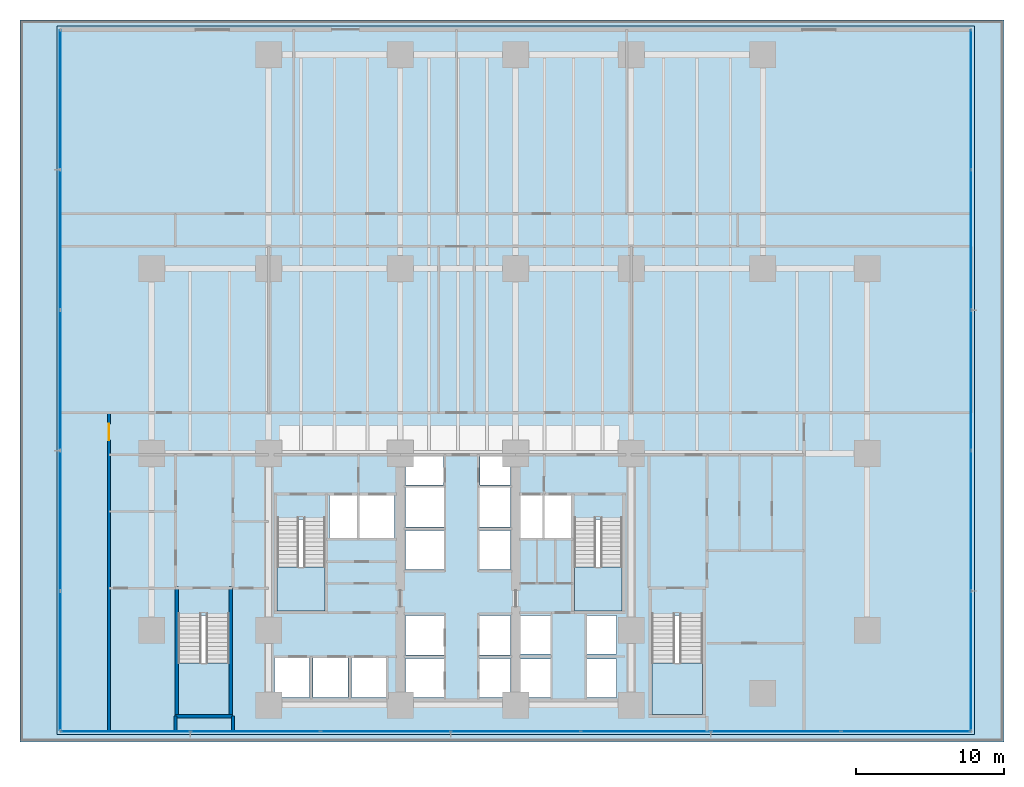
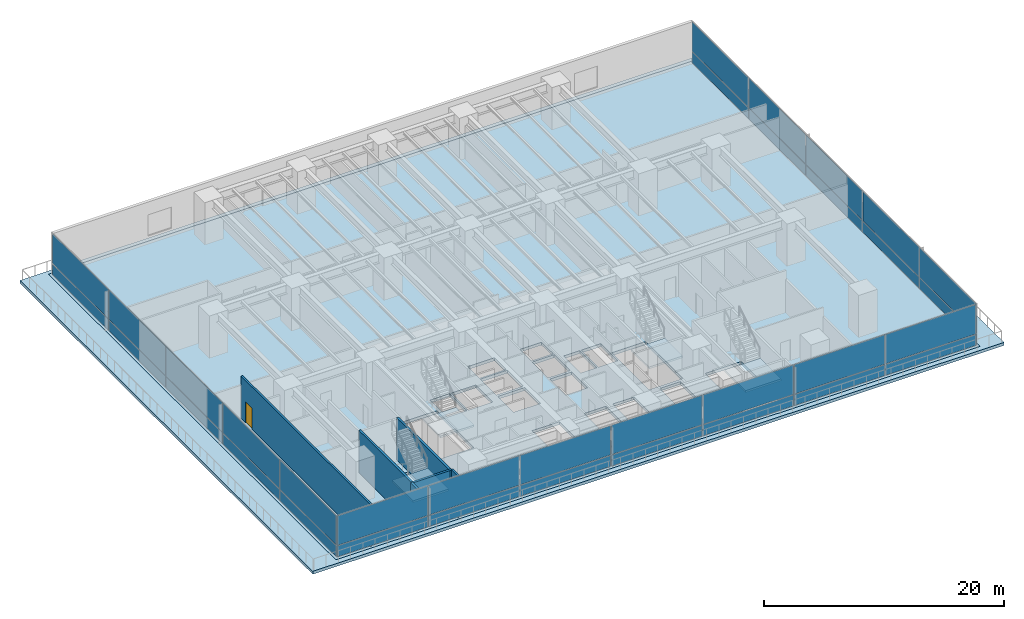
# One storey, part 9 of 26: 34 plates, 6 slabs, 6 walls, 1 door, 1 opening, 7 elements without a shape of their own.
"""IFC4 building model written with IfcOpenShell, lengths in metres."""

from ifc_helpers import new_model, si_unit, direction, frame, frame_2d, origin, origin_2d, place, context, subcontext, project, spatial, polyline, rectangle, outline, extrude, material, layer, layer_set, type_object, element, fill, aggregate, save


model = new_model("IFC4")

# Units and contexts
model_context = context("Model", 3, precision=1e-05, world=origin(), true_north=direction((0.0, 1.0)))
body_context = subcontext(model_context, "Body", "Model", "MODEL_VIEW")
ifc_project = project(units=[si_unit("LENGTHUNIT", "METRE"), si_unit("AREAUNIT", "SQUARE_METRE"), si_unit("VOLUMEUNIT", "CUBIC_METRE"), si_unit("PLANEANGLEUNIT", "RADIAN"), si_unit("MASSUNIT", "GRAM", prefix="KILO")], contexts=[model_context])

# Site, building, storey
site_placement = place(None, origin())
site = spatial("IfcSite", under=ifc_project, at=site_placement, CompositionType="ELEMENT")
building_placement = place(site_placement, origin())
building = spatial("IfcBuilding", under=site, at=building_placement, Name="Qalmaran Belvedere Hotel", CompositionType="ELEMENT")
storey_placement = place(building_placement, frame((0.0, 0.0, 19.199951171875)))
storey = spatial("IfcBuildingStorey", under=building, at=storey_placement, Name="L04", CompositionType="ELEMENT", Elevation=19.199951171875)

# Curtain wall, plates
ifc_material_1 = material(Name="Anodised Bronze Aluminium", Category="aluminium")
ifc_layer_1 = layer(ifc_material_1, 0.219970703125, Name="Anodised Bronze Aluminium")
ifc_layer_set_1 = layer_set([ifc_layer_1], Name="Anodised Bronze Aluminium")
curtain_wall_type = type_object("IfcCurtainWallType", Name="CW1-PODIUM-BRONZE", PredefinedType="NOTDEFINED", material=ifc_layer_set_1)
curtain_wall_1_placement = place(storey_placement, origin())
curtain_wall_1 = element("IfcCurtainWall", 1, at=curtain_wall_1_placement, inside=storey, type_object=curtain_wall_type, Name="L04 Curtain Wall CW1", PredefinedType="NOTDEFINED")
ifc_material_2 = material(Name="Anodised Bronze Spandrel Panel")
ifc_layer_2 = layer(ifc_material_2, 0.035888671875, Name="Anodised Bronze Spandrel Panel")
ifc_layer_set_2 = layer_set([ifc_layer_2], Name="Anodised Bronze Spandrel Panel")
plate_type_1 = type_object("IfcPlateType", Name="CWP-SPANDREL-36", PredefinedType="CURTAIN_PANEL", material=ifc_layer_set_2)
plate_1_placement = place(storey_placement, frame((10.635986328125, 1.719970703125, 0.070068359375), z_axis=(0.0, 0.0, 1.0), x_axis=(1.0, 0.0, 0.0)))
plate_1 = element("IfcPlate", 2, at=plate_1_placement, type_object=plate_type_1, Name="CW1 panel 1.1", PredefinedType="CURTAIN_PANEL", context=body_context, shape_type="SweptSolid", body=[
    extrude(rectangle(XDim=8.681884765625, YDim=0.035888671875, at=origin_2d()), origin(), (0.0, 0.0, 1.0), 1.09912109375),
])
plate_2_placement = place(storey_placement, frame((19.411376953125, 1.719970703125, 0.070068359375), z_axis=(0.0, 0.0, 1.0), x_axis=(1.0, 0.0, 0.0)))
plate_2 = element("IfcPlate", 3, at=plate_2_placement, type_object=plate_type_1, Name="CW1 panel 2.1", PredefinedType="CURTAIN_PANEL", context=body_context, shape_type="SweptSolid", body=[
    extrude(rectangle(XDim=8.71923828125, YDim=0.035888671875, at=origin_2d()), origin(), (0.0, 0.0, 1.0), 1.09912109375),
])
plate_3_placement = place(storey_placement, frame((28.205810546875, 1.719970703125, 0.070068359375), z_axis=(0.0, 0.0, 1.0), x_axis=(1.0, 0.0, 0.0)))
plate_3 = element("IfcPlate", 4, at=plate_3_placement, type_object=plate_type_1, Name="CW1 panel 3.1", PredefinedType="CURTAIN_PANEL", context=body_context, shape_type="SweptSolid", body=[
    extrude(rectangle(XDim=8.71923828125, YDim=0.035888671875, at=origin_2d()), origin(), (0.0, 0.0, 1.0), 1.09912109375),
])
plate_4_placement = place(storey_placement, frame((37.0, 1.719970703125, 0.070068359375), z_axis=(0.0, 0.0, 1.0), x_axis=(1.0, 0.0, 0.0)))
plate_4 = element("IfcPlate", 5, at=plate_4_placement, type_object=plate_type_1, Name="CW1 panel 4.1", PredefinedType="CURTAIN_PANEL", context=body_context, shape_type="SweptSolid", body=[
    extrude(rectangle(XDim=8.71923828125, YDim=0.035888671875, at=origin_2d()), origin(), (0.0, 0.0, 1.0), 1.09912109375),
])
plate_5_placement = place(storey_placement, frame((45.794189453125, 1.719970703125, 0.070068359375), z_axis=(0.0, 0.0, 1.0), x_axis=(1.0, 0.0, 0.0)))
plate_5 = element("IfcPlate", 6, at=plate_5_placement, type_object=plate_type_1, Name="CW1 panel 5.1", PredefinedType="CURTAIN_PANEL", context=body_context, shape_type="SweptSolid", body=[
    extrude(rectangle(XDim=8.71923828125, YDim=0.035888671875, at=origin_2d()), origin(), (0.0, 0.0, 1.0), 1.09912109375),
])
plate_6_placement = place(storey_placement, frame((54.588623046875, 1.719970703125, 0.070068359375), z_axis=(0.0, 0.0, 1.0), x_axis=(1.0, 0.0, 0.0)))
plate_6 = element("IfcPlate", 7, at=plate_6_placement, type_object=plate_type_1, Name="CW1 panel 6.1", PredefinedType="CURTAIN_PANEL", context=body_context, shape_type="SweptSolid", body=[
    extrude(rectangle(XDim=8.71923828125, YDim=0.035888671875, at=origin_2d()), origin(), (0.0, 0.0, 1.0), 1.09912109375),
])
plate_7_placement = place(storey_placement, frame((63.364013671875, 1.719970703125, 0.070068359375), z_axis=(0.0, 0.0, 1.0), x_axis=(1.0, 0.0, 0.0)))
plate_7 = element("IfcPlate", 8, at=plate_7_placement, type_object=plate_type_1, Name="CW1 panel 7.1", PredefinedType="CURTAIN_PANEL", context=body_context, shape_type="SweptSolid", body=[
    extrude(rectangle(XDim=8.681884765625, YDim=0.035888671875, at=origin_2d()), origin(), (0.0, 0.0, 1.0), 1.09912109375),
])

curtain_wall_2_placement = place(storey_placement, origin())
curtain_wall_2 = element("IfcCurtainWall", 9, at=curtain_wall_2_placement, inside=storey, type_object=curtain_wall_type, Name="L04 Curtain Wall CW1", PredefinedType="NOTDEFINED")
plate_8_placement = place(storey_placement, frame((67.780029296875, 6.48486328125, 0.070068359375), z_axis=(0.0, 0.0, 1.0), x_axis=(0.0, 1.0, 0.0)))
plate_8 = element("IfcPlate", 10, at=plate_8_placement, type_object=plate_type_1, Name="CW1 panel 1.1", PredefinedType="CURTAIN_PANEL", context=body_context, shape_type="SweptSolid", body=[
    extrude(rectangle(XDim=9.37939453125, YDim=0.035888671875, at=origin_2d()), origin(), (0.0, 0.0, 1.0), 1.09912109375),
])
plate_9_placement = place(storey_placement, frame((67.780029296875, 15.9580078125, 0.070068359375), z_axis=(0.0, 0.0, 1.0), x_axis=(0.0, 1.0, 0.0)))
plate_9 = element("IfcPlate", 11, at=plate_9_placement, type_object=plate_type_1, Name="CW1 panel 2.1", PredefinedType="CURTAIN_PANEL", context=body_context, shape_type="SweptSolid", body=[
    extrude(rectangle(XDim=9.4169921875, YDim=0.035888671875, at=origin_2d()), origin(), (0.0, 0.0, 1.0), 1.09912109375),
])
plate_10_placement = place(storey_placement, frame((67.780029296875, 25.449951171875, 0.070068359375), z_axis=(0.0, 0.0, 1.0), x_axis=(0.0, 1.0, 0.0)))
plate_10 = element("IfcPlate", 12, at=plate_10_placement, type_object=plate_type_1, Name="CW1 panel 3.1", PredefinedType="CURTAIN_PANEL", context=body_context, shape_type="SweptSolid", body=[
    extrude(rectangle(XDim=9.4169921875, YDim=0.035888671875, at=origin_2d()), origin(), (0.0, 0.0, 1.0), 1.09912109375),
])
plate_11_placement = place(storey_placement, frame((67.780029296875, 34.94189453125, 0.070068359375), z_axis=(0.0, 0.0, 1.0), x_axis=(0.0, 1.0, 0.0)))
plate_11 = element("IfcPlate", 13, at=plate_11_placement, type_object=plate_type_1, Name="CW1 panel 4.1", PredefinedType="CURTAIN_PANEL", context=body_context, shape_type="SweptSolid", body=[
    extrude(rectangle(XDim=9.4169921875, YDim=0.035888671875, at=origin_2d()), origin(), (0.0, 0.0, 1.0), 1.09912109375),
])
plate_12_placement = place(storey_placement, frame((67.780029296875, 44.415283203125, 0.070068359375), z_axis=(0.0, 0.0, 1.0), x_axis=(0.0, 1.0, 0.0)))
plate_12 = element("IfcPlate", 14, at=plate_12_placement, type_object=plate_type_1, Name="CW1 panel 5.1", PredefinedType="CURTAIN_PANEL", context=body_context, shape_type="SweptSolid", body=[
    extrude(rectangle(XDim=9.37939453125, YDim=0.035888671875, at=origin_2d()), origin(), (0.0, 0.0, 1.0), 1.09912109375),
])

curtain_wall_3_placement = place(storey_placement, origin())
curtain_wall_3 = element("IfcCurtainWall", 15, at=curtain_wall_3_placement, inside=storey, type_object=curtain_wall_type, Name="L04 Curtain Wall CW1", PredefinedType="NOTDEFINED")
plate_13_placement = place(storey_placement, frame((6.219970703125, 44.415283203125, 0.070068359375), z_axis=(0.0, 0.0, 1.0), x_axis=(0.0, -1.0, 0.0)))
plate_13 = element("IfcPlate", 16, at=plate_13_placement, type_object=plate_type_1, Name="CW1 panel 1.1", PredefinedType="CURTAIN_PANEL", context=body_context, shape_type="SweptSolid", body=[
    extrude(rectangle(XDim=9.37939453125, YDim=0.035888671875, at=origin_2d()), origin(), (0.0, 0.0, 1.0), 1.09912109375),
])
plate_14_placement = place(storey_placement, frame((6.219970703125, 34.94189453125, 0.070068359375), z_axis=(0.0, 0.0, 1.0), x_axis=(0.0, -1.0, 0.0)))
plate_14 = element("IfcPlate", 17, at=plate_14_placement, type_object=plate_type_1, Name="CW1 panel 2.1", PredefinedType="CURTAIN_PANEL", context=body_context, shape_type="SweptSolid", body=[
    extrude(rectangle(XDim=9.4169921875, YDim=0.035888671875, at=origin_2d()), origin(), (0.0, 0.0, 1.0), 1.09912109375),
])
plate_15_placement = place(storey_placement, frame((6.219970703125, 25.449951171875, 0.070068359375), z_axis=(0.0, 0.0, 1.0), x_axis=(0.0, -1.0, 0.0)))
plate_15 = element("IfcPlate", 18, at=plate_15_placement, type_object=plate_type_1, Name="CW1 panel 3.1", PredefinedType="CURTAIN_PANEL", context=body_context, shape_type="SweptSolid", body=[
    extrude(rectangle(XDim=9.4169921875, YDim=0.035888671875, at=origin_2d()), origin(), (0.0, 0.0, 1.0), 1.09912109375),
])
plate_16_placement = place(storey_placement, frame((6.219970703125, 15.9580078125, 0.070068359375), z_axis=(0.0, 0.0, 1.0), x_axis=(0.0, -1.0, 0.0)))
plate_16 = element("IfcPlate", 19, at=plate_16_placement, type_object=plate_type_1, Name="CW1 panel 4.1", PredefinedType="CURTAIN_PANEL", context=body_context, shape_type="SweptSolid", body=[
    extrude(rectangle(XDim=9.4169921875, YDim=0.035888671875, at=origin_2d()), origin(), (0.0, 0.0, 1.0), 1.09912109375),
])
plate_17_placement = place(storey_placement, frame((6.219970703125, 6.48486328125, 0.070068359375), z_axis=(0.0, 0.0, 1.0), x_axis=(0.0, -1.0, 0.0)))
plate_17 = element("IfcPlate", 20, at=plate_17_placement, type_object=plate_type_1, Name="CW1 panel 5.1", PredefinedType="CURTAIN_PANEL", context=body_context, shape_type="SweptSolid", body=[
    extrude(rectangle(XDim=9.37939453125, YDim=0.035888671875, at=origin_2d()), origin(), (0.0, 0.0, 1.0), 1.09912109375),
])

# Plate
ifc_material_3 = material(Name="Solar-Control Double Glazing", Category="glass")
ifc_layer_3 = layer(ifc_material_3, 0.028076171875, Name="Solar-Control Double Glazing")
ifc_layer_set_3 = layer_set([ifc_layer_3], Name="Solar-Control Double Glazing")
plate_type_2 = type_object("IfcPlateType", Name="CWP-VISION-28", PredefinedType="CURTAIN_PANEL", material=ifc_layer_set_3)
plate_18_placement = place(storey_placement, frame((10.635986328125, 1.719970703125, 1.2392578125), z_axis=(0.0, 0.0, 1.0), x_axis=(1.0, 0.0, 0.0)))
plate_18 = element("IfcPlate", 21, at=plate_18_placement, type_object=plate_type_2, Name="CW1 panel 1.2", PredefinedType="CURTAIN_PANEL", context=body_context, shape_type="SweptSolid", body=[
    extrude(rectangle(XDim=8.681884765625, YDim=0.028076171875, at=origin_2d()), origin(), (0.0, 0.0, 1.0), 2.990966796875),
])

plate_19_placement = place(storey_placement, frame((19.411376953125, 1.719970703125, 1.2392578125), z_axis=(0.0, 0.0, 1.0), x_axis=(1.0, 0.0, 0.0)))
plate_19 = element("IfcPlate", 22, at=plate_19_placement, type_object=plate_type_2, Name="CW1 panel 2.2", PredefinedType="CURTAIN_PANEL", context=body_context, shape_type="SweptSolid", body=[
    extrude(rectangle(XDim=8.71923828125, YDim=0.028076171875, at=origin_2d()), origin(), (0.0, 0.0, 1.0), 2.990966796875),
])

plate_20_placement = place(storey_placement, frame((28.205810546875, 1.719970703125, 1.2392578125), z_axis=(0.0, 0.0, 1.0), x_axis=(1.0, 0.0, 0.0)))
plate_20 = element("IfcPlate", 23, at=plate_20_placement, type_object=plate_type_2, Name="CW1 panel 3.2", PredefinedType="CURTAIN_PANEL", context=body_context, shape_type="SweptSolid", body=[
    extrude(rectangle(XDim=8.71923828125, YDim=0.028076171875, at=origin_2d()), origin(), (0.0, 0.0, 1.0), 2.990966796875),
])

plate_21_placement = place(storey_placement, frame((37.0, 1.719970703125, 1.2392578125), z_axis=(0.0, 0.0, 1.0), x_axis=(1.0, 0.0, 0.0)))
plate_21 = element("IfcPlate", 24, at=plate_21_placement, type_object=plate_type_2, Name="CW1 panel 4.2", PredefinedType="CURTAIN_PANEL", context=body_context, shape_type="SweptSolid", body=[
    extrude(rectangle(XDim=8.71923828125, YDim=0.028076171875, at=origin_2d()), origin(), (0.0, 0.0, 1.0), 2.990966796875),
])

plate_22_placement = place(storey_placement, frame((45.794189453125, 1.719970703125, 1.2392578125), z_axis=(0.0, 0.0, 1.0), x_axis=(1.0, 0.0, 0.0)))
plate_22 = element("IfcPlate", 25, at=plate_22_placement, type_object=plate_type_2, Name="CW1 panel 5.2", PredefinedType="CURTAIN_PANEL", context=body_context, shape_type="SweptSolid", body=[
    extrude(rectangle(XDim=8.71923828125, YDim=0.028076171875, at=origin_2d()), origin(), (0.0, 0.0, 1.0), 2.990966796875),
])

plate_23_placement = place(storey_placement, frame((54.588623046875, 1.719970703125, 1.2392578125), z_axis=(0.0, 0.0, 1.0), x_axis=(1.0, 0.0, 0.0)))
plate_23 = element("IfcPlate", 26, at=plate_23_placement, type_object=plate_type_2, Name="CW1 panel 6.2", PredefinedType="CURTAIN_PANEL", context=body_context, shape_type="SweptSolid", body=[
    extrude(rectangle(XDim=8.71923828125, YDim=0.028076171875, at=origin_2d()), origin(), (0.0, 0.0, 1.0), 2.990966796875),
])

plate_24_placement = place(storey_placement, frame((63.364013671875, 1.719970703125, 1.2392578125), z_axis=(0.0, 0.0, 1.0), x_axis=(1.0, 0.0, 0.0)))
plate_24 = element("IfcPlate", 27, at=plate_24_placement, type_object=plate_type_2, Name="CW1 panel 7.2", PredefinedType="CURTAIN_PANEL", context=body_context, shape_type="SweptSolid", body=[
    extrude(rectangle(XDim=8.681884765625, YDim=0.028076171875, at=origin_2d()), origin(), (0.0, 0.0, 1.0), 2.990966796875),
])

aggregate(curtain_wall_1, [plate_1, plate_18, plate_2, plate_19, plate_3, plate_20, plate_4, plate_21, plate_5, plate_22, plate_6, plate_23, plate_7, plate_24])

plate_25_placement = place(storey_placement, frame((67.780029296875, 6.48486328125, 1.2392578125), z_axis=(0.0, 0.0, 1.0), x_axis=(0.0, 1.0, 0.0)))
plate_25 = element("IfcPlate", 28, at=plate_25_placement, type_object=plate_type_2, Name="CW1 panel 1.2", PredefinedType="CURTAIN_PANEL", context=body_context, shape_type="SweptSolid", body=[
    extrude(rectangle(XDim=9.37939453125, YDim=0.028076171875, at=origin_2d()), origin(), (0.0, 0.0, 1.0), 2.990966796875),
])

plate_26_placement = place(storey_placement, frame((67.780029296875, 15.9580078125, 1.2392578125), z_axis=(0.0, 0.0, 1.0), x_axis=(0.0, 1.0, 0.0)))
plate_26 = element("IfcPlate", 29, at=plate_26_placement, type_object=plate_type_2, Name="CW1 panel 2.2", PredefinedType="CURTAIN_PANEL", context=body_context, shape_type="SweptSolid", body=[
    extrude(rectangle(XDim=9.4169921875, YDim=0.028076171875, at=origin_2d()), origin(), (0.0, 0.0, 1.0), 2.990966796875),
])

plate_27_placement = place(storey_placement, frame((67.780029296875, 25.449951171875, 1.2392578125), z_axis=(0.0, 0.0, 1.0), x_axis=(0.0, 1.0, 0.0)))
plate_27 = element("IfcPlate", 30, at=plate_27_placement, type_object=plate_type_2, Name="CW1 panel 3.2", PredefinedType="CURTAIN_PANEL", context=body_context, shape_type="SweptSolid", body=[
    extrude(rectangle(XDim=9.4169921875, YDim=0.028076171875, at=origin_2d()), origin(), (0.0, 0.0, 1.0), 2.990966796875),
])

plate_28_placement = place(storey_placement, frame((67.780029296875, 34.94189453125, 1.2392578125), z_axis=(0.0, 0.0, 1.0), x_axis=(0.0, 1.0, 0.0)))
plate_28 = element("IfcPlate", 31, at=plate_28_placement, type_object=plate_type_2, Name="CW1 panel 4.2", PredefinedType="CURTAIN_PANEL", context=body_context, shape_type="SweptSolid", body=[
    extrude(rectangle(XDim=9.4169921875, YDim=0.028076171875, at=origin_2d()), origin(), (0.0, 0.0, 1.0), 2.990966796875),
])

plate_29_placement = place(storey_placement, frame((67.780029296875, 44.415283203125, 1.2392578125), z_axis=(0.0, 0.0, 1.0), x_axis=(0.0, 1.0, 0.0)))
plate_29 = element("IfcPlate", 32, at=plate_29_placement, type_object=plate_type_2, Name="CW1 panel 5.2", PredefinedType="CURTAIN_PANEL", context=body_context, shape_type="SweptSolid", body=[
    extrude(rectangle(XDim=9.37939453125, YDim=0.028076171875, at=origin_2d()), origin(), (0.0, 0.0, 1.0), 2.990966796875),
])

aggregate(curtain_wall_2, [plate_8, plate_25, plate_9, plate_26, plate_10, plate_27, plate_11, plate_28, plate_12, plate_29])

plate_30_placement = place(storey_placement, frame((6.219970703125, 44.415283203125, 1.2392578125), z_axis=(0.0, 0.0, 1.0), x_axis=(0.0, -1.0, 0.0)))
plate_30 = element("IfcPlate", 33, at=plate_30_placement, type_object=plate_type_2, Name="CW1 panel 1.2", PredefinedType="CURTAIN_PANEL", context=body_context, shape_type="SweptSolid", body=[
    extrude(rectangle(XDim=9.37939453125, YDim=0.028076171875, at=origin_2d()), origin(), (0.0, 0.0, 1.0), 2.990966796875),
])

plate_31_placement = place(storey_placement, frame((6.219970703125, 34.94189453125, 1.2392578125), z_axis=(0.0, 0.0, 1.0), x_axis=(0.0, -1.0, 0.0)))
plate_31 = element("IfcPlate", 34, at=plate_31_placement, type_object=plate_type_2, Name="CW1 panel 2.2", PredefinedType="CURTAIN_PANEL", context=body_context, shape_type="SweptSolid", body=[
    extrude(rectangle(XDim=9.4169921875, YDim=0.028076171875, at=origin_2d()), origin(), (0.0, 0.0, 1.0), 2.990966796875),
])

plate_32_placement = place(storey_placement, frame((6.219970703125, 25.449951171875, 1.2392578125), z_axis=(0.0, 0.0, 1.0), x_axis=(0.0, -1.0, 0.0)))
plate_32 = element("IfcPlate", 35, at=plate_32_placement, type_object=plate_type_2, Name="CW1 panel 3.2", PredefinedType="CURTAIN_PANEL", context=body_context, shape_type="SweptSolid", body=[
    extrude(rectangle(XDim=9.4169921875, YDim=0.028076171875, at=origin_2d()), origin(), (0.0, 0.0, 1.0), 2.990966796875),
])

plate_33_placement = place(storey_placement, frame((6.219970703125, 15.9580078125, 1.2392578125), z_axis=(0.0, 0.0, 1.0), x_axis=(0.0, -1.0, 0.0)))
plate_33 = element("IfcPlate", 36, at=plate_33_placement, type_object=plate_type_2, Name="CW1 panel 4.2", PredefinedType="CURTAIN_PANEL", context=body_context, shape_type="SweptSolid", body=[
    extrude(rectangle(XDim=9.4169921875, YDim=0.028076171875, at=origin_2d()), origin(), (0.0, 0.0, 1.0), 2.990966796875),
])

plate_34_placement = place(storey_placement, frame((6.219970703125, 6.48486328125, 1.2392578125), z_axis=(0.0, 0.0, 1.0), x_axis=(0.0, -1.0, 0.0)))
plate_34 = element("IfcPlate", 37, at=plate_34_placement, type_object=plate_type_2, Name="CW1 panel 5.2", PredefinedType="CURTAIN_PANEL", context=body_context, shape_type="SweptSolid", body=[
    extrude(rectangle(XDim=9.37939453125, YDim=0.028076171875, at=origin_2d()), origin(), (0.0, 0.0, 1.0), 2.990966796875),
])

aggregate(curtain_wall_3, [plate_13, plate_30, plate_14, plate_31, plate_15, plate_32, plate_16, plate_33, plate_17, plate_34])

# Slab
ifc_material_4 = material(Name="Concrete C40/50", Category="concrete")
ifc_layer_4 = layer(ifc_material_4, 0.300048828125, Name="Concrete C40/50")
ifc_layer_set_4 = layer_set([ifc_layer_4], Name="Concrete C40/50")
slab_type_1 = type_object("IfcSlabType", Name="SLB-POD-300", PredefinedType="FLOOR", material=ifc_layer_set_4)
slab_1_placement = place(storey_placement, frame((0.0, 0.0, -0.300048828125)))
element("IfcSlab", 38, at=slab_1_placement, inside=storey, type_object=slab_type_1, Name="L04 Structural Floor Slab", PredefinedType="FLOOR", context=body_context, shape_type="SweptSolid", body=[
    extrude(outline(polyline([(6.0, 1.5), (68.0, 1.5), (68.0, 49.39990234375), (6.0, 49.39990234375), (6.0, 1.5)]), holes=[polyline([(20.8798828125, 9.85009765625), (24.1201171875, 9.85009765625), (24.1201171875, 16.0400390625), (20.8798828125, 16.0400390625), (20.8798828125, 9.85009765625)]), polyline([(40.9599609375, 9.85009765625), (44.199951171875, 9.85009765625), (44.199951171875, 16.0400390625), (40.9599609375, 16.0400390625), (40.9599609375, 9.85009765625)]), polyline([(14.199951171875, 2.85009765625), (17.639892578125, 2.85009765625), (17.639892578125, 9.550048828125), (14.199951171875, 9.550048828125), (14.199951171875, 2.85009765625)]), polyline([(46.199951171875, 2.85009765625), (49.639892578125, 2.85009765625), (49.639892578125, 9.550048828125), (46.199951171875, 9.550048828125), (46.199951171875, 2.85009765625)]), polyline([(29.544921875, 4.0), (32.14990234375, 4.0), (32.14990234375, 6.64990234375), (29.544921875, 6.64990234375), (29.544921875, 4.0)]), polyline([(29.544921875, 6.89990234375), (32.14990234375, 6.89990234375), (32.14990234375, 9.550048828125), (29.544921875, 9.550048828125), (29.544921875, 6.89990234375)]), polyline([(34.550048828125, 4.0), (36.655029296875, 4.0), (36.655029296875, 6.64990234375), (34.550048828125, 6.64990234375), (34.550048828125, 4.0)]), polyline([(34.550048828125, 6.89990234375), (36.655029296875, 6.89990234375), (36.655029296875, 9.550048828125), (34.550048828125, 9.550048828125), (34.550048828125, 6.89990234375)]), polyline([(29.544921875, 12.64990234375), (32.14990234375, 12.64990234375), (32.14990234375, 15.300048828125), (29.544921875, 15.300048828125), (29.544921875, 12.64990234375)]), polyline([(29.544921875, 15.550048828125), (32.14990234375, 15.550048828125), (32.14990234375, 18.199951171875), (29.544921875, 18.199951171875), (29.544921875, 15.550048828125)]), polyline([(34.550048828125, 12.64990234375), (36.655029296875, 12.64990234375), (36.655029296875, 15.300048828125), (34.550048828125, 15.300048828125), (34.550048828125, 12.64990234375)]), polyline([(34.550048828125, 15.550048828125), (36.655029296875, 15.550048828125), (36.655029296875, 18.199951171875), (34.550048828125, 18.199951171875), (34.550048828125, 15.550048828125)]), polyline([(37.300048828125, 4.0), (39.35009765625, 4.0), (39.35009765625, 6.60009765625), (37.300048828125, 6.60009765625), (37.300048828125, 4.0)]), polyline([(37.300048828125, 6.949951171875), (39.35009765625, 6.949951171875), (39.35009765625, 9.550048828125), (37.300048828125, 9.550048828125), (37.300048828125, 6.949951171875)]), polyline([(41.800048828125, 4.0), (43.800048828125, 4.0), (43.800048828125, 6.60009765625), (41.800048828125, 6.60009765625), (41.800048828125, 4.0)]), polyline([(41.800048828125, 6.949951171875), (43.800048828125, 6.949951171875), (43.800048828125, 9.550048828125), (41.800048828125, 9.550048828125), (41.800048828125, 6.949951171875)]), polyline([(20.699951171875, 4.0), (23.050048828125, 4.0), (23.050048828125, 6.699951171875), (20.699951171875, 6.699951171875), (20.699951171875, 4.0)]), polyline([(23.300048828125, 4.0), (25.64990234375, 4.0), (25.64990234375, 6.699951171875), (23.300048828125, 6.699951171875), (23.300048828125, 4.0)]), polyline([(25.89990234375, 4.0), (28.25, 4.0), (28.25, 6.699951171875), (25.89990234375, 6.699951171875), (25.89990234375, 4.0)]), polyline([(24.39990234375, 14.800048828125), (26.300048828125, 14.800048828125), (26.300048828125, 17.64990234375), (24.39990234375, 17.64990234375), (24.39990234375, 14.800048828125)]), polyline([(38.949951171875, 14.800048828125), (40.820068359375, 14.800048828125), (40.820068359375, 17.64990234375), (38.949951171875, 17.64990234375), (38.949951171875, 14.800048828125)]), polyline([(26.449951171875, 14.800048828125), (28.800048828125, 14.800048828125), (28.800048828125, 17.64990234375), (26.449951171875, 17.64990234375), (26.449951171875, 14.800048828125)]), polyline([(37.25, 14.800048828125), (38.800048828125, 14.800048828125), (38.800048828125, 17.64990234375), (37.25, 17.64990234375), (37.25, 14.800048828125)]), polyline([(29.544921875, 18.3798828125), (32.1201171875, 18.3798828125), (32.1201171875, 20.300048828125), (29.544921875, 20.300048828125), (29.544921875, 18.3798828125)]), polyline([(34.580078125, 18.3798828125), (36.655029296875, 18.3798828125), (36.655029296875, 20.300048828125), (34.580078125, 20.300048828125), (34.580078125, 18.3798828125)])]), origin(), (0.0, 0.0, 1.0), 0.300048828125),
])

# Stair, slab
stair_type_1 = type_object("IfcStairType", Name="STR-ST-1-1450-R1769", PredefinedType="HALF_TURN_STAIR", material=ifc_material_4)
stair_1_placement = place(storey_placement, origin())
stair_1 = element("IfcStair", 39, at=stair_1_placement, inside=storey, type_object=stair_type_1, Name="L04 West Core Exit Stair ST-1", PredefinedType="HALF_TURN_STAIR")
ifc_layer_5 = layer(ifc_material_4, 0.199951171875, Name="Concrete C40/50")
ifc_layer_set_5 = layer_set([ifc_layer_5], Name="Concrete C40/50")
slab_type_2 = type_object("IfcSlabType", Name="SLB-STAIR-LANDING-200", PredefinedType="LANDING", material=ifc_layer_set_5)
slab_2_placement = place(storey_placement, frame((0.0, 0.0, 2.10009765625)))
slab_2 = element("IfcSlab", 40, at=slab_2_placement, type_object=slab_type_2, Name="ST-1 landing 1", PredefinedType="LANDING", context=body_context, shape_type="SweptSolid", body=[
    extrude(outline(polyline([(20.8798828125, 12.830078125), (20.8798828125, 9.85009765625), (24.1201171875, 9.85009765625), (24.1201171875, 12.830078125), (20.8798828125, 12.830078125)])), origin(), (0.0, 0.0, 1.0), 0.199951171875),
])
aggregate(stair_1, [slab_2])

stair_type_2 = type_object("IfcStairType", Name="STR-ST-2-1450-R1769", PredefinedType="HALF_TURN_STAIR", material=ifc_material_4)
stair_2_placement = place(storey_placement, origin())
stair_2 = element("IfcStair", 41, at=stair_2_placement, inside=storey, type_object=stair_type_2, Name="L04 East Core Exit Stair ST-2", PredefinedType="HALF_TURN_STAIR")
slab_3_placement = place(storey_placement, frame((0.0, 0.0, 2.10009765625)))
slab_3 = element("IfcSlab", 42, at=slab_3_placement, type_object=slab_type_2, Name="ST-2 landing 1", PredefinedType="LANDING", context=body_context, shape_type="SweptSolid", body=[
    extrude(outline(polyline([(40.9599609375, 12.830078125), (40.9599609375, 9.85009765625), (44.199951171875, 9.85009765625), (44.199951171875, 12.830078125), (40.9599609375, 12.830078125)])), origin(), (0.0, 0.0, 1.0), 0.199951171875),
])
aggregate(stair_2, [slab_3])

stair_type_3 = type_object("IfcStairType", Name="STR-ST-P1-1550-R1769", PredefinedType="HALF_TURN_STAIR", material=ifc_material_4)
stair_3_placement = place(storey_placement, origin())
stair_3 = element("IfcStair", 43, at=stair_3_placement, inside=storey, type_object=stair_type_3, Name="L04 West Podium Exit Stair ST-P1", PredefinedType="HALF_TURN_STAIR")
slab_4_placement = place(storey_placement, frame((0.0, 0.0, 2.10009765625)))
slab_4 = element("IfcSlab", 44, at=slab_4_placement, type_object=slab_type_2, Name="ST-P1 landing 1", PredefinedType="LANDING", context=body_context, shape_type="SweptSolid", body=[
    extrude(outline(polyline([(14.199951171875, 6.340087890625), (14.199951171875, 2.85009765625), (17.639892578125, 2.85009765625), (17.639892578125, 6.340087890625), (14.199951171875, 6.340087890625)])), origin(), (0.0, 0.0, 1.0), 0.199951171875),
])
aggregate(stair_3, [slab_4])

stair_type_4 = type_object("IfcStairType", Name="STR-ST-P2-1550-R1769", PredefinedType="HALF_TURN_STAIR", material=ifc_material_4)
stair_4_placement = place(storey_placement, origin())
stair_4 = element("IfcStair", 45, at=stair_4_placement, inside=storey, type_object=stair_type_4, Name="L04 East Podium Exit Stair ST-P2", PredefinedType="HALF_TURN_STAIR")
slab_5_placement = place(storey_placement, frame((0.0, 0.0, 2.10009765625)))
slab_5 = element("IfcSlab", 46, at=slab_5_placement, type_object=slab_type_2, Name="ST-P2 landing 1", PredefinedType="LANDING", context=body_context, shape_type="SweptSolid", body=[
    extrude(outline(polyline([(46.199951171875, 6.340087890625), (46.199951171875, 2.85009765625), (49.639892578125, 2.85009765625), (49.639892578125, 6.340087890625), (46.199951171875, 6.340087890625)])), origin(), (0.0, 0.0, 1.0), 0.199951171875),
])
aggregate(stair_4, [slab_5])

# Slab
ifc_layer_6 = layer(ifc_material_4, 0.300048828125, Name="Concrete C40/50")
ifc_layer_set_6 = layer_set([ifc_layer_6], Name="Concrete C40/50")
slab_type_3 = type_object("IfcSlabType", Name="SLB-TER-300", PredefinedType="ROOF", material=ifc_layer_set_6)
slab_6_placement = place(storey_placement, frame((0.0, 0.0, -0.300048828125)))
element("IfcSlab", 47, at=slab_6_placement, inside=storey, type_object=slab_type_3, Name="L04 Podium Roof Terrace 1", PredefinedType="ROOF", context=body_context, shape_type="SweptSolid", body=[
    extrude(outline(polyline([(3.5, 49.800048828125), (70.0, 49.800048828125), (70.0, 1.0), (3.5, 1.0), (3.5, 49.800048828125)]), holes=[polyline([(68.0, 1.5), (68.0, 49.39990234375), (6.0, 49.39990234375), (6.0, 1.5), (68.0, 1.5)])]), origin(), (0.0, 0.0, 1.0), 0.300048828125),
])

# Wall, opening, door
ifc_material_5 = material(Name="Gypsum Stud Partition")
ifc_layer_7 = layer(ifc_material_5, 0.179931640625, Name="Gypsum Stud Partition")
ifc_layer_set_7 = layer_set([ifc_layer_7], Name="Gypsum Stud Partition")
wall_type_1 = type_object("IfcWallType", Name="WL-INT-180-EI60", PredefinedType="PARTITIONING", material=ifc_layer_set_7)
wall_1_placement = place(storey_placement, frame((9.52001953125, 1.719970703125, 0.0), z_axis=(0.0, 0.0, 1.0), x_axis=(0.0, 1.0, 0.0)))
wall_1 = element("IfcWall", 48, at=wall_1_placement, inside=storey, type_object=wall_type_1, Name="L04 Partition WL-L04-WCW", PredefinedType="PARTITIONING", context=body_context, shape_type="SweptSolid", body=[
    extrude(rectangle(XDim=21.530029296875, YDim=0.179931640625, at=frame_2d((10.76513671875, 0.0))), origin(), (0.0, 0.0, 1.0), 4.300048828125),
])
opening_placement = place(wall_1_placement, frame((19.679931640625, 0.0, 0.0)))
opening = element("IfcOpeningElement", 49, at=opening_placement, cuts=wall_1, Name="Opening FD90", PredefinedType="OPENING", context=body_context, shape_type="SweptSolid", body=[
    extrude(rectangle(XDim=1.10009765625, YDim=2.14990234375, at=frame_2d((0.550048828125, 1.074951171875))), frame((0.0, 0.10009765625, 0.0), z_axis=(0.0, -1.0, 0.0), x_axis=(1.0, 0.0, 0.0)), (0.0, 0.0, 1.0), 0.199951171875),
])
ifc_material_6 = material(Name="Steel S355JR", Category="steel")
door_type = type_object("IfcDoorType", Name="DR-FD90-1100X2150", OperationType="NOTDEFINED", PredefinedType="DOOR", material=ifc_material_6)
door_placement = place(opening_placement, origin())
door = element("IfcDoor", 50, at=door_placement, inside=storey, type_object=door_type, Name="L04 West Wing Door", OperationType="SINGLE_SWING_LEFT", OverallHeight=2.14990234375, OverallWidth=1.10009765625, PredefinedType="DOOR", context=body_context, shape_type="SweptSolid", body=[
    extrude(rectangle(XDim=1.10009765625, YDim=2.14990234375, at=frame_2d((0.550048828125, 1.074951171875))), frame((0.0, 0.02490234375, 0.0), z_axis=(0.0, -1.0, 0.0), x_axis=(1.0, 0.0, 0.0)), (0.0, 0.0, 1.0), 0.050048828125),
])
fill(opening, door)

# Walls
ifc_material_7 = material(Name="Concrete C30/37 Blockwork", Category="masonry")
ifc_layer_8 = layer(ifc_material_7, 0.199951171875, Name="Concrete C30/37 Blockwork")
ifc_layer_set_8 = layer_set([ifc_layer_8], Name="Concrete C30/37 Blockwork")
wall_type_2 = type_object("IfcWallType", Name="WL-INT-200-EI120", PredefinedType="PARTITIONING", material=ifc_layer_set_8)
for number, where, z_axis, x_axis, name in (
    (51, (14.02001953125, 1.719970703125, 0.0), (0.0, 0.0, 1.0), (0.0, 1.0, 0.0), "L04 Partition WL-L04-STPWS"),
    (52, (17.89990234375, 1.719970703125, 0.0), (0.0, 0.0, 1.0), (0.0, 1.0, 0.0), "L04 Partition WL-L04-STPW2S"),
):
    element("IfcWall", number, at=place(storey_placement, frame(where, z_axis=z_axis, x_axis=x_axis)), inside=storey, type_object=wall_type_2, Name=name, PredefinedType="PARTITIONING", context=body_context, shape_type="SweptSolid", body=[
        extrude(rectangle(XDim=1.030029296875, YDim=0.199951171875, at=frame_2d((0.51513671875, 0.0))), origin(), (0.0, 0.0, 1.0), 4.300048828125),
    ])
ifc_material_8 = material(Name="Concrete C50/60", Category="concrete")
ifc_layer_9 = layer(ifc_material_8, 0.2099609375, Name="Concrete C50/60")
ifc_layer_set_9 = layer_set([ifc_layer_9], Name="Concrete C50/60")
wall_type_3 = type_object("IfcWallType", Name="WL-STAIR-210-C50", PredefinedType="SHEAR", material=ifc_layer_set_9)
for number, where, z_axis, x_axis, name in (
    (53, (14.094970703125, 2.639892578125, 0.0), (0.0, 0.0, 1.0), (0.0, 1.0, 0.0), "L04 Podium Stair STP1 West Bearing Wall"),
    (54, (17.7451171875, 2.639892578125, 0.0), (0.0, 0.0, 1.0), (0.0, 1.0, 0.0), "L04 Podium Stair STP1 East Bearing Wall"),
):
    element("IfcWall", number, at=place(storey_placement, frame(where, z_axis=z_axis, x_axis=x_axis)), inside=storey, type_object=wall_type_3, Name=name, PredefinedType="SHEAR", context=body_context, shape_type="SweptSolid", body=[
        extrude(rectangle(XDim=8.8701171875, YDim=0.2099609375, at=frame_2d((4.43505859375, 0.0))), origin(), (0.0, 0.0, 1.0), 4.300048828125),
    ])
wall_2_placement = place(storey_placement, frame((13.989990234375, 2.7451171875, 0.0), z_axis=(0.0, 0.0, 1.0), x_axis=(1.0, 0.0, 0.0)))
element("IfcWall", 55, at=wall_2_placement, inside=storey, type_object=wall_type_3, Name="L04 Podium Stair STP1 South Bearing Wall", PredefinedType="SHEAR", context=body_context, shape_type="SweptSolid", body=[
    extrude(rectangle(XDim=3.860107421875, YDim=0.2099609375, at=frame_2d((1.93017578125, 0.0))), origin(), (0.0, 0.0, 1.0), 4.300048828125),
])

save(model, "model.ifc")
